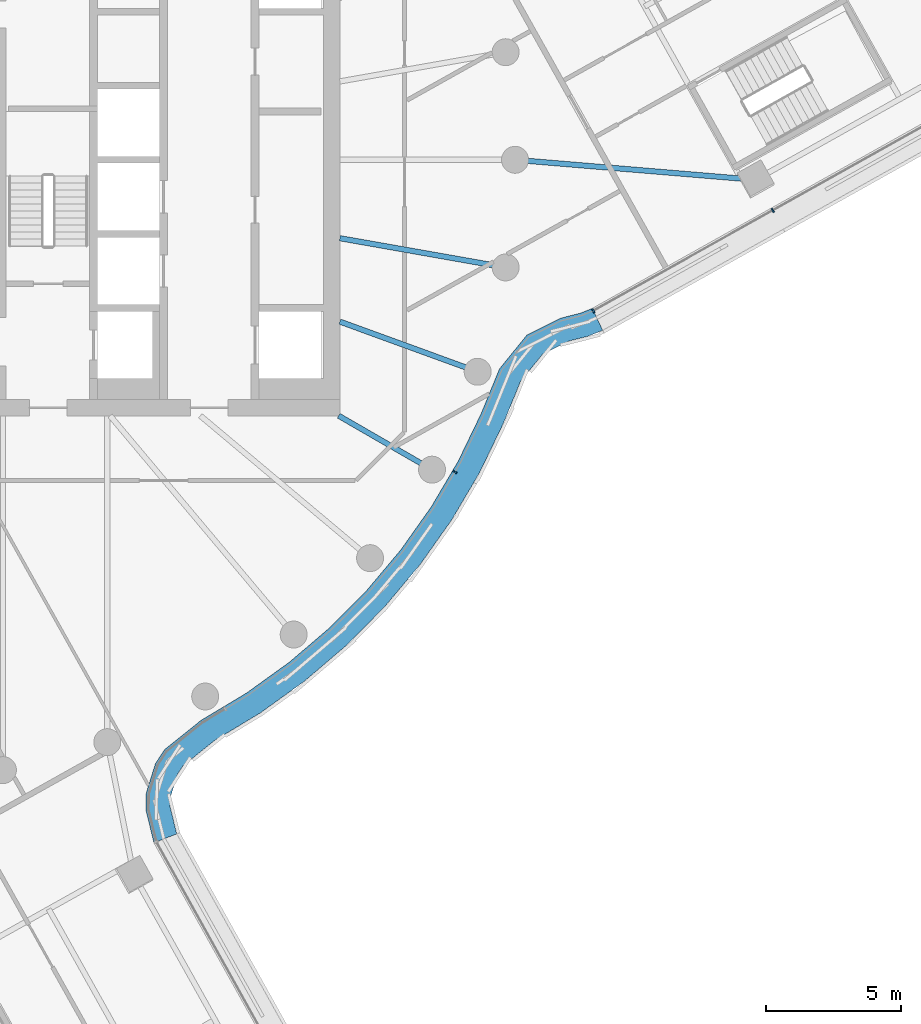
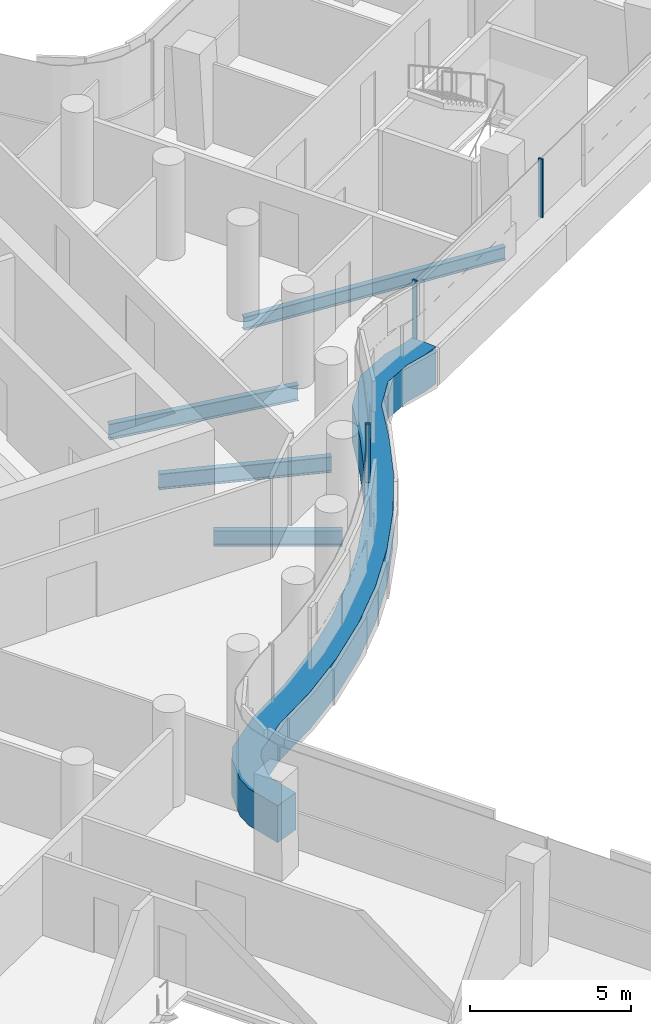
# One storey, part 11 of 34: 4 beams, 4 members, 2 elements without a shape of their own.
"""IFC4 building model written with IfcOpenShell, lengths in metres."""

from ifc_helpers import new_model, si_unit, direction, frame, origin, origin_2d, place, context, subcontext, project, spatial, polyline, rectangle, i_section, outline, extrude, material, layer, layer_set, material_profile, profile_set, type_object, element, aggregate, save


model = new_model("IFC4")

# Units and contexts
model_context = context("Model", 3, precision=1e-05, world=origin(), true_north=direction((0.0, 1.0)))
body_context = subcontext(model_context, "Body", "Model", "MODEL_VIEW")
ifc_project = project(units=[si_unit("LENGTHUNIT", "METRE"), si_unit("AREAUNIT", "SQUARE_METRE"), si_unit("VOLUMEUNIT", "CUBIC_METRE"), si_unit("PLANEANGLEUNIT", "RADIAN"), si_unit("MASSUNIT", "GRAM", prefix="KILO")], contexts=[model_context])

# Site, building, storey
site_placement = place(None, origin())
site = spatial("IfcSite", under=ifc_project, at=site_placement, CompositionType="ELEMENT")
building_placement = place(site_placement, origin())
building = spatial("IfcBuilding", under=site, at=building_placement, Name="Tamarind Cross Interchange Tower", CompositionType="ELEMENT")
storey_placement = place(building_placement, frame((0.0, 0.0, 140.5)))
storey = spatial("IfcBuildingStorey", under=building, at=storey_placement, Name="L34", CompositionType="ELEMENT", Elevation=140.5)

# Beams
ifc_material_1 = material(Name="Steel Q355B", Category="steel")
ifc_material_profile_1 = material_profile(ifc_material_1, i_section(OverallWidth=0.198974609375, OverallDepth=0.49609375, WebThickness=0.009033203125, FlangeThickness=0.013916015625, FilletRadius=0.012939453125, at=origin_2d()), Name="HN 496x199x9x14")
ifc_profile_set_1 = profile_set([ifc_material_profile_1], Name="Steel Q355B")
beam_type_1 = type_object("IfcBeamType", Name="Composite beam HN 496x199x9x14 Q355B", PredefinedType="BEAM", material=ifc_profile_set_1)
beam_1_placement = place(storey_placement, frame((31.92919921875, -0.742431640625, -0.387939453125), z_axis=(-0.996561150192, 0.082860569195, 0.0), x_axis=(-0.082860569195, -0.996561150192, 0.0)))
element("IfcBeam", 1, at=beam_1_placement, inside=storey, type_object=beam_type_1, Name="Beam E-linkem", PredefinedType="BEAM", context=body_context, shape_type="SweptSolid", body=[
    extrude(i_section(OverallWidth=0.198974609375, OverallDepth=0.49609375, WebThickness=0.009033203125, FlangeThickness=0.013916015625, FilletRadius=0.012939453125, at=origin_2d()), origin(), (0.0, 0.0, 1.0), 8.9599609375),
])
ifc_material_profile_2 = material_profile(ifc_material_1, i_section(OverallWidth=0.198974609375, OverallDepth=0.595947265625, WebThickness=0.010009765625, FlangeThickness=0.014892578125, FilletRadius=0.012939453125, at=origin_2d()), Name="HN 596x199x10x15")
ifc_profile_set_2 = profile_set([ifc_material_profile_2], Name="Steel Q355B")
beam_type_2 = type_object("IfcBeamType", Name="Composite beam HN 596x199x10x15 Q355B", PredefinedType="BEAM", material=ifc_profile_set_2)
beam_2_placement = place(storey_placement, frame((19.918701171875, -11.5, -0.43798828125), z_axis=(-0.866026010844, 0.49999894854, 0.0), x_axis=(-0.49999894854, -0.866026010844, 0.0)))
element("IfcBeam", 2, at=beam_2_placement, inside=storey, type_object=beam_type_2, Name="Beam HH33", PredefinedType="BEAM", context=body_context, shape_type="SweptSolid", body=[
    extrude(i_section(OverallWidth=0.198974609375, OverallDepth=0.595947265625, WebThickness=0.010009765625, FlangeThickness=0.014892578125, FilletRadius=0.012939453125, at=origin_2d()), origin(), (0.0, 0.0, 1.0), 4.0),
])
beam_3_placement = place(storey_placement, frame((21.613037109375, -7.866455078125, -0.43798828125), z_axis=(-0.939701685589, 0.341995236956, 0.0), x_axis=(-0.341995236956, -0.939701685589, 0.0)))
element("IfcBeam", 3, at=beam_3_placement, inside=storey, type_object=beam_type_2, Name="Beam HH34", PredefinedType="BEAM", context=body_context, shape_type="SweptSolid", body=[
    extrude(i_section(OverallWidth=0.198974609375, OverallDepth=0.595947265625, WebThickness=0.010009765625, FlangeThickness=0.014892578125, FilletRadius=0.012939453125, at=origin_2d()), origin(), (0.0, 0.0, 1.0), 5.441162109375),
])
beam_4_placement = place(storey_placement, frame((22.650634765625, -3.993896484375, -0.43798828125), z_axis=(-0.984809127561, 0.173640382036, 0.0), x_axis=(-0.173640382036, -0.984809127561, 0.0)))
element("IfcBeam", 4, at=beam_4_placement, inside=storey, type_object=beam_type_2, Name="Beam HH35", PredefinedType="BEAM", context=body_context, shape_type="SweptSolid", body=[
    extrude(i_section(OverallWidth=0.198974609375, OverallDepth=0.595947265625, WebThickness=0.010009765625, FlangeThickness=0.014892578125, FilletRadius=0.012939453125, at=origin_2d()), origin(), (0.0, 0.0, 1.0), 6.24560546875),
])

# Curtain wall, members
ifc_material_2 = material(Name="Aluminium 6063-T6", Category="aluminium")
ifc_layer = layer(ifc_material_2, 0.159912109375)
ifc_layer_set = layer_set([ifc_layer], Name="Aluminium 6063-T6")
curtain_wall_type = type_object("IfcCurtainWallType", Name="Office curtain wall, 9.0 m bays", PredefinedType="NOTDEFINED", material=ifc_layer_set)
curtain_wall_1_placement = place(storey_placement, origin())
curtain_wall_1 = element("IfcCurtainWall", 5, at=curtain_wall_1_placement, inside=storey, type_object=curtain_wall_type, Name="CWS-L34-06", PredefinedType="NOTDEFINED")
ifc_material_3 = material(Name="Aluminium and insulated spandrel panel", Category="aluminium")
member_type_1 = type_object("IfcMemberType", Name="Floor-edge blade transom", PredefinedType="USERDEFINED", material=ifc_material_3)
member_1_placement = place(storey_placement, origin())
member_1 = element("IfcMember", 6, at=member_1_placement, type_object=member_type_1, Name="CWT-L34-06", ObjectType="TRANSOM", PredefinedType="USERDEFINED", context=body_context, shape_type="SweptSolid", body=[
    extrude(outline(polyline([(9.597900390625, -25.3505859375), (9.29443359375, -24.107177734375), (9.3134765625, -23.5), (9.654296875, -22.408935546875), (9.98828125, -21.892333984375), (11.339599609375, -20.807861328125), (13.045654296875, -19.78125), (14.634521484375, -18.636474609375), (16.12353515625, -17.3642578125), (17.50244140625, -15.973388671875), (18.76171875, -14.4736328125), (19.892822265625, -12.874755859375), (20.88818359375, -11.188232421875), (21.741943359375, -9.42236328125), (22.42236328125, -7.75732421875), (23.442138671875, -6.501220703125), (24.68115234375, -5.880126953125), (25.417236328125, -5.693115234375), (25.86572265625, -5.51416015625), (26.25390625, -6.328125), (25.696044921875, -6.55078125), (24.9970703125, -6.728515625), (24.0185546875, -7.21875), (23.205078125, -8.220947265625), (22.564453125, -9.788818359375), (21.68212890625, -11.613525390625), (20.64892578125, -13.3642578125), (19.474853515625, -15.023681640625), (18.167724609375, -16.580810546875), (16.736572265625, -18.0244140625), (15.19091796875, -19.344970703125), (13.54150390625, -20.533203125), (11.85546875, -21.547607421875), (10.6650390625, -22.503173828125), (10.476806640625, -22.79443359375), (10.209228515625, -23.651123046875), (10.19775390625, -24.012939453125), (10.443359375, -25.0185546875), (9.597900390625, -25.3505859375)])), origin(), (0.0, 0.0, 1.0), 1.39990234375),
])
ifc_material_profile_3 = material_profile(ifc_material_2, rectangle(XDim=0.06005859375, YDim=0.159912109375, at=origin_2d()), Name="Mullion CW1")
ifc_profile_set_3 = profile_set([ifc_material_profile_3], Name="Aluminium 6063-T6")
member_type_2 = type_object("IfcMemberType", Name="Mullion CW1", PredefinedType="MULLION", material=ifc_profile_set_3)
member_2_placement = place(storey_placement, frame((20.769287109375, -11.58642578125, 1.39990234375), z_axis=(0.0, 0.0, 1.0), x_axis=(0.508183308752, 0.861248933065, 0.0)))
member_2 = element("IfcMember", 7, at=member_2_placement, type_object=member_type_2, Name="CWM-L34-06-02", PredefinedType="MULLION", context=body_context, shape_type="SweptSolid", body=[
    extrude(rectangle(XDim=0.06005859375, YDim=0.159912109375, at=origin_2d()), origin(), (0.0, 0.0, 1.0), 2.210205078125),
])
aggregate(curtain_wall_1, [member_2, member_1])

curtain_wall_2_placement = place(storey_placement, origin())
curtain_wall_2 = element("IfcCurtainWall", 8, at=curtain_wall_2_placement, inside=storey, type_object=curtain_wall_type, Name="CWS-L34-07", PredefinedType="NOTDEFINED")
member_3_placement = place(storey_placement, frame((25.908935546875, -5.604736328125, 1.39990234375), z_axis=(0.0, 0.0, 1.0), x_axis=(0.90255222081, 0.430580409113, 0.0)))
member_3 = element("IfcMember", 9, at=member_3_placement, type_object=member_type_2, Name="CWM-L34-07-00", PredefinedType="MULLION", context=body_context, shape_type="SweptSolid", body=[
    extrude(rectangle(XDim=0.06005859375, YDim=0.159912109375, at=origin_2d()), origin(), (0.0, 0.0, 1.0), 2.210205078125),
])
member_4_placement = place(storey_placement, frame((32.5654296875, -1.876220703125, 1.39990234375), z_axis=(0.0, 0.0, 1.0), x_axis=(0.872458481082, 0.488688242939, 0.0)))
member_4 = element("IfcMember", 10, at=member_4_placement, type_object=member_type_2, Name="CWM-L34-07-01", PredefinedType="MULLION", context=body_context, shape_type="SweptSolid", body=[
    extrude(rectangle(XDim=0.06005859375, YDim=0.159912109375, at=origin_2d()), origin(), (0.0, 0.0, 1.0), 2.210205078125),
])
aggregate(curtain_wall_2, [member_3, member_4])

save(model, "model.ifc")
